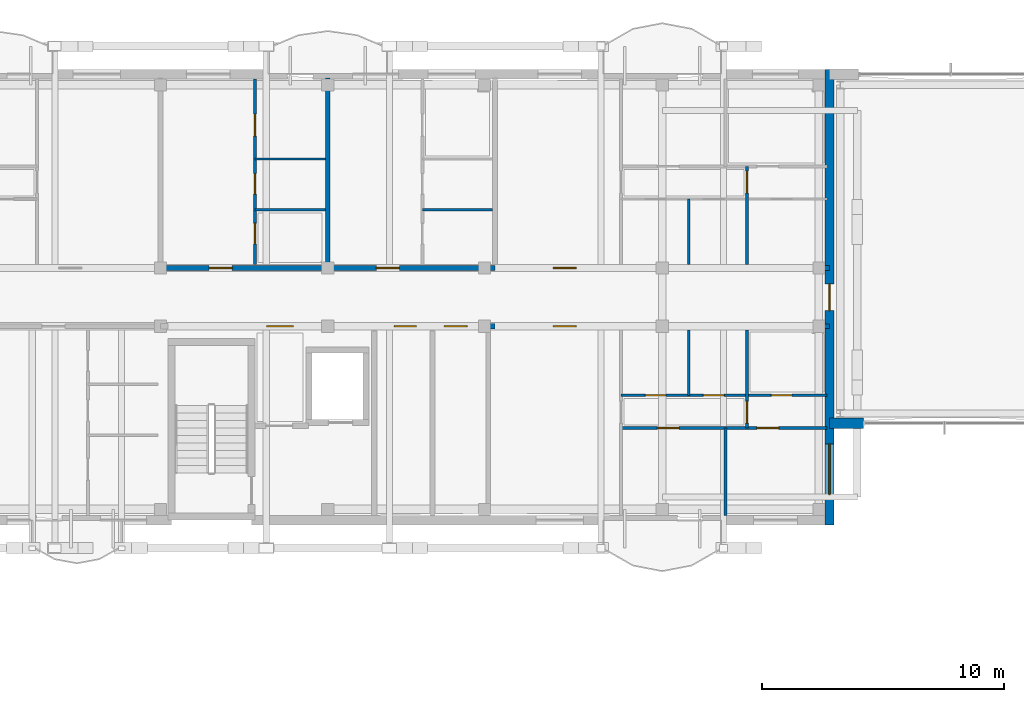
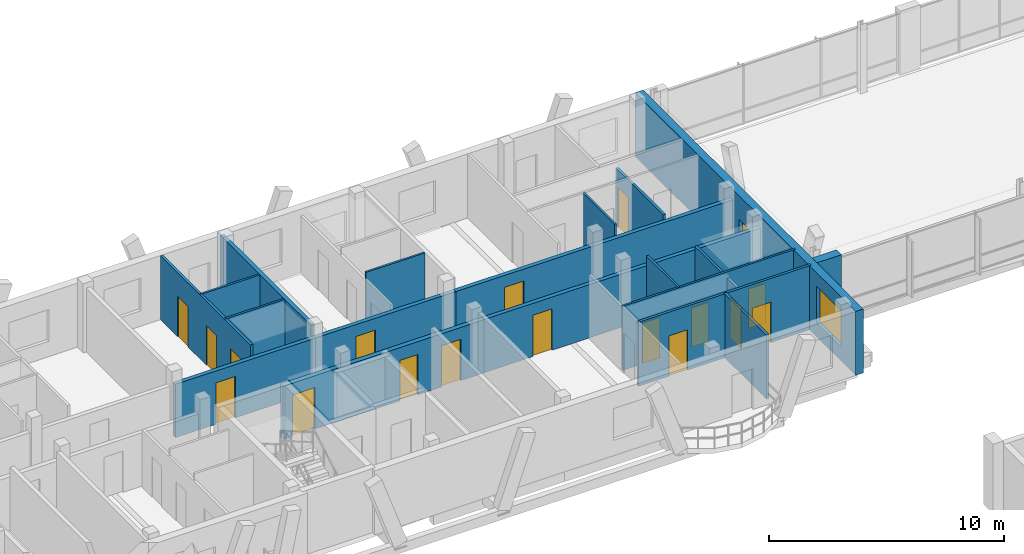
# One storey, part 154 of 189: 19 walls, 18 doors, 1 window, 19 openings.
"""IFC4 building model written with IfcOpenShell, lengths in metres."""

from ifc_helpers import new_model, si_unit, direction, frame, frame_2d, origin, origin_with_axes, place, context, subcontext, project, spatial, rectangle, extrude, material, layer, layer_set, type_object, element, fill, save


model = new_model("IFC4")

# Units and contexts
model_context = context("Model", 3, precision=1e-05, world=origin(), true_north=direction((0.0, 1.0)))
body_context = subcontext(model_context, "Body", "Model", "MODEL_VIEW")
ifc_project = project(units=[si_unit("LENGTHUNIT", "METRE"), si_unit("AREAUNIT", "SQUARE_METRE"), si_unit("VOLUMEUNIT", "CUBIC_METRE"), si_unit("PLANEANGLEUNIT", "RADIAN"), si_unit("MASSUNIT", "GRAM", prefix="KILO")], contexts=[model_context])

# Site, building, storey
site_placement = place(None, origin())
site = spatial("IfcSite", under=ifc_project, at=site_placement, CompositionType="ELEMENT")
building_placement = place(site_placement, origin())
building = spatial("IfcBuilding", under=site, at=building_placement, Name="Zavelmont Quarter", CompositionType="ELEMENT")
storey_placement = place(building_placement, frame((0.0, 0.0, 4.39990234375)))
storey = spatial("IfcBuildingStorey", under=building, at=storey_placement, Name="L01", CompositionType="ELEMENT", Elevation=4.39990234375)

# Wall, openings, door, window
ifc_material_1 = material(Name="Natural Belgian limestone", Category="masonry")
ifc_layer_1 = layer(ifc_material_1, 0.3798828125)
ifc_layer_set_1 = layer_set([ifc_layer_1], Name="Natural Belgian limestone")
wall_type_1 = type_object("IfcWallType", Name="EW01", PredefinedType="STANDARD", material=ifc_layer_set_1)
wall_1_placement = place(storey_placement, frame((55.199951171875, 97.409912109375, 0.0), z_axis=(0.0, 0.0, 1.0), x_axis=(0.0, 1.0, 0.0)))
wall_1 = element("IfcWall", 1, at=wall_1_placement, inside=storey, type_object=wall_type_1, Name="L01 exterior limestone wall EW01", PredefinedType="STANDARD", context=body_context, shape_type="SweptSolid", body=[
    extrude(rectangle(XDim=18.780029296875, YDim=0.3798828125, at=frame_2d((9.39013671875, 0.0))), origin(), (0.0, 0.0, 1.0), 3.330078125),
])
opening_1_placement = place(wall_1_placement, frame((8.840087890625, 0.0, 0.0)))
opening_1 = element("IfcOpeningElement", 2, at=opening_1_placement, cuts=wall_1, Name="Opening DR04B", PredefinedType="OPENING", context=body_context, shape_type="SweptSolid", body=[
    extrude(rectangle(XDim=1.10009765625, YDim=2.10009765625, at=frame_2d((0.550048828125, 1.050048828125))), frame((0.0, 0.201904296875, 0.0), z_axis=(0.0, -1.0, 0.0), x_axis=(1.0, 0.0, 0.0)), (0.0, 0.0, 1.0), 0.40380859375),
])
opening_2_placement = place(wall_1_placement, frame((1.239990234375, 0.0, 0.719970703125)))
opening_2 = element("IfcOpeningElement", 3, at=opening_2_placement, cuts=wall_1, Name="Opening WN05", PredefinedType="OPENING", context=body_context, shape_type="SweptSolid", body=[
    extrude(rectangle(XDim=2.10009765625, YDim=1.89990234375, at=frame_2d((1.050048828125, 0.949951171875))), frame((0.0, 0.201904296875, 0.0), z_axis=(0.0, -1.0, 0.0), x_axis=(1.0, 0.0, 0.0)), (0.0, 0.0, 1.0), 0.40380859375),
])
ifc_material_2 = material(Name="Thermally broken aluminium and double safety glass", Category="aluminium")
door_type_1 = type_object("IfcDoorType", Name="DR04B", OperationType="NOTDEFINED", PredefinedType="DOOR", material=ifc_material_2)
door_1_placement = place(opening_1_placement, origin_with_axes())
door_1 = element("IfcDoor", 4, at=door_1_placement, inside=storey, type_object=door_type_1, Name="Block B L01 street arcade link door", OperationType="SINGLE_SWING_RIGHT", OverallHeight=2.10009765625, OverallWidth=1.10009765625, PredefinedType="DOOR", context=body_context, shape_type="SweptSolid", body=[
    extrude(rectangle(XDim=1.10009765625, YDim=2.10009765625, at=frame_2d((0.550048828125, 1.050048828125))), frame((0.0, 0.02490234375, 0.0), z_axis=(0.0, -1.0, 0.0), x_axis=(1.0, 0.0, 0.0)), (0.0, 0.0, 1.0), 0.050048828125),
])
fill(opening_1, door_1)
ifc_material_3 = material(Name="Double low-E insulated glazing in thermally broken aluminium frame", Category="aluminium")
window_type = type_object("IfcWindowType", Name="WN05", PartitioningType="SINGLE_PANEL", PredefinedType="WINDOW", material=ifc_material_3)
window_placement = place(opening_2_placement, origin_with_axes())
window = element("IfcWindow", 5, at=window_placement, inside=storey, type_object=window_type, Name="L01 window WN05", OverallHeight=1.89990234375, OverallWidth=2.10009765625, PartitioningType="SINGLE_PANEL", PredefinedType="WINDOW", context=body_context, shape_type="SweptSolid", body=[
    extrude(rectangle(XDim=2.10009765625, YDim=1.89990234375, at=frame_2d((1.050048828125, 0.949951171875))), frame((0.0, 0.030029296875, 0.0), z_axis=(0.0, -1.0, 0.0), x_axis=(1.0, 0.0, 0.0)), (0.0, 0.0, 1.0), 0.06005859375),
])
fill(opening_2, window)

# Walls
ifc_layer_2 = layer(ifc_material_1, 0.419921875)
ifc_layer_set_2 = layer_set([ifc_layer_2], Name="Natural Belgian limestone")
wall_type_2 = type_object("IfcWallType", Name="EW04", PredefinedType="STANDARD", material=ifc_layer_set_2)
wall_2_placement = place(storey_placement, frame((55.199951171875, 101.60009765625, 0.0), z_axis=(0.0, 0.0, 1.0), x_axis=(1.0, 0.0, 0.0)))
element("IfcWall", 6, at=wall_2_placement, inside=storey, type_object=wall_type_2, Name="L01 exterior limestone wall EW04", PredefinedType="STANDARD", context=body_context, shape_type="SweptSolid", body=[
    extrude(rectangle(XDim=1.400146484375, YDim=0.419921875, at=frame_2d((0.7001953125, 0.0))), origin(), (0.0, 0.0, 1.0), 3.31005859375),
])
ifc_material_4 = material(Name="Calcium-silicate blockwork and acoustic plaster", Category="masonry")
ifc_layer_3 = layer(ifc_material_4, 0.199951171875)
ifc_layer_set_3 = layer_set([ifc_layer_3], Name="Calcium-silicate blockwork and acoustic plaster")
wall_type_3 = type_object("IfcWallType", Name="IW01", PredefinedType="PARTITIONING", material=ifc_layer_set_3)
wall_3_placement = place(storey_placement, frame((34.5, 108.14990234375, 0.0), z_axis=(0.0, 0.0, 1.0), x_axis=(0.0, 1.0, 0.0)))
element("IfcWall", 7, at=wall_3_placement, inside=storey, type_object=wall_type_3, Name="L01 Inter-dwelling compartment wall IW01", PredefinedType="PARTITIONING", context=body_context, shape_type="SweptSolid", body=[
    extrude(rectangle(XDim=7.7001953125, YDim=0.199951171875, at=frame_2d((3.85009765625, 0.0))), origin(), (0.0, 0.0, 1.0), 3.330078125),
])

# Wall, opening, door
wall_4_placement = place(storey_placement, frame((27.60009765625, 108.0, 0.0), z_axis=(0.0, 0.0, 1.0), x_axis=(1.0, 0.0, 0.0)))
wall_4 = element("IfcWall", 8, at=wall_4_placement, inside=storey, type_object=wall_type_3, Name="L01 Corridor compartment wall IW01", PredefinedType="PARTITIONING", context=body_context, shape_type="SweptSolid", body=[
    extrude(rectangle(XDim=6.89990234375, YDim=0.199951171875, at=frame_2d((3.449951171875, 0.0))), origin(), (0.0, 0.0, 1.0), 2.77001953125),
])
opening_3_placement = place(wall_4_placement, frame((2.0, 0.0, 0.0)))
opening_3 = element("IfcOpeningElement", 9, at=opening_3_placement, cuts=wall_4, Name="Opening DR02", PredefinedType="OPENING", context=body_context, shape_type="SweptSolid", body=[
    extrude(rectangle(XDim=0.949951171875, YDim=2.14990234375, at=frame_2d((0.47509765625, 1.074951171875))), frame((0.0, 0.11181640625, 0.0), z_axis=(0.0, -1.0, 0.0), x_axis=(1.0, 0.0, 0.0)), (0.0, 0.0, 1.0), 0.223876953125),
])
ifc_material_5 = material(Name="Solid-core oak fire leaf in steel frame", Category="steel")
door_type_2 = type_object("IfcDoorType", Name="DR02", OperationType="NOTDEFINED", PredefinedType="DOOR", material=ifc_material_5)
door_2_placement = place(opening_3_placement, origin_with_axes())
door_2 = element("IfcDoor", 10, at=door_2_placement, inside=storey, type_object=door_type_2, Name="L01 door DR02", OperationType="SINGLE_SWING_RIGHT", OverallHeight=2.14990234375, OverallWidth=0.949951171875, PredefinedType="DOOR", context=body_context, shape_type="SweptSolid", body=[
    extrude(rectangle(XDim=0.949951171875, YDim=2.14990234375, at=frame_2d((0.47509765625, 1.074951171875))), frame((0.0, 0.02490234375, 0.0), z_axis=(0.0, -1.0, 0.0), x_axis=(1.0, 0.0, 0.0)), (0.0, 0.0, 1.0), 0.050048828125),
])
fill(opening_3, door_2)

wall_5_placement = place(storey_placement, frame((34.5, 108.0, 0.0), z_axis=(0.0, 0.0, 1.0), x_axis=(1.0, 0.0, 0.0)))
wall_5 = element("IfcWall", 11, at=wall_5_placement, inside=storey, type_object=wall_type_3, Name="L01 Corridor compartment wall IW01", PredefinedType="PARTITIONING", context=body_context, shape_type="SweptSolid", body=[
    extrude(rectangle(XDim=6.89990234375, YDim=0.199951171875, at=frame_2d((3.449951171875, 0.0))), origin(), (0.0, 0.0, 1.0), 2.77001953125),
])
opening_4_placement = place(wall_5_placement, frame((2.0, 0.0, 0.0)))
opening_4 = element("IfcOpeningElement", 12, at=opening_4_placement, cuts=wall_5, Name="Opening DR02", PredefinedType="OPENING", context=body_context, shape_type="SweptSolid", body=[
    extrude(rectangle(XDim=0.949951171875, YDim=2.14990234375, at=frame_2d((0.47509765625, 1.074951171875))), frame((0.0, 0.11181640625, 0.0), z_axis=(0.0, -1.0, 0.0), x_axis=(1.0, 0.0, 0.0)), (0.0, 0.0, 1.0), 0.223876953125),
])
door_3_placement = place(opening_4_placement, origin_with_axes())
door_3 = element("IfcDoor", 13, at=door_3_placement, inside=storey, type_object=door_type_2, Name="L01 door DR02", OperationType="SINGLE_SWING_LEFT", OverallHeight=2.14990234375, OverallWidth=0.949951171875, PredefinedType="DOOR", context=body_context, shape_type="SweptSolid", body=[
    extrude(rectangle(XDim=0.949951171875, YDim=2.14990234375, at=frame_2d((0.47509765625, 1.074951171875))), frame((0.0, 0.02490234375, 0.0), z_axis=(0.0, -1.0, 0.0), x_axis=(1.0, 0.0, 0.0)), (0.0, 0.0, 1.0), 0.050048828125),
])
fill(opening_4, door_3)

wall_6_placement = place(storey_placement, frame((41.39990234375, 108.0, 0.0), z_axis=(0.0, 0.0, 1.0), x_axis=(1.0, 0.0, 0.0)))
wall_6 = element("IfcWall", 14, at=wall_6_placement, inside=storey, type_object=wall_type_3, Name="L01 Corridor compartment wall IW01", PredefinedType="PARTITIONING", context=body_context, shape_type="SweptSolid", body=[
    extrude(rectangle(XDim=13.800048828125, YDim=0.199951171875, at=frame_2d((6.89990234375, 0.0))), origin(), (0.0, 0.0, 1.0), 2.77001953125),
])
opening_5_placement = place(wall_6_placement, frame((2.39990234375, 0.0, 0.0)))
opening_5 = element("IfcOpeningElement", 15, at=opening_5_placement, cuts=wall_6, Name="Opening DR02", PredefinedType="OPENING", context=body_context, shape_type="SweptSolid", body=[
    extrude(rectangle(XDim=0.949951171875, YDim=2.14990234375, at=frame_2d((0.47509765625, 1.074951171875))), frame((0.0, 0.11181640625, 0.0), z_axis=(0.0, -1.0, 0.0), x_axis=(1.0, 0.0, 0.0)), (0.0, 0.0, 1.0), 0.223876953125),
])
door_4_placement = place(opening_5_placement, origin_with_axes())
door_4 = element("IfcDoor", 16, at=door_4_placement, inside=storey, type_object=door_type_2, Name="L01 door DR02", OperationType="SINGLE_SWING_RIGHT", OverallHeight=2.14990234375, OverallWidth=0.949951171875, PredefinedType="DOOR", context=body_context, shape_type="SweptSolid", body=[
    extrude(rectangle(XDim=0.949951171875, YDim=2.14990234375, at=frame_2d((0.47509765625, 1.074951171875))), frame((0.0, 0.02490234375, 0.0), z_axis=(0.0, -1.0, 0.0), x_axis=(1.0, 0.0, 0.0)), (0.0, 0.0, 1.0), 0.050048828125),
])
fill(opening_5, door_4)

wall_7_placement = place(storey_placement, frame((41.39990234375, 105.60009765625, 0.0), z_axis=(0.0, 0.0, 1.0), x_axis=(1.0, 0.0, 0.0)))
wall_7 = element("IfcWall", 17, at=wall_7_placement, inside=storey, type_object=wall_type_3, Name="L01 Corridor compartment wall IW01", PredefinedType="PARTITIONING", context=body_context, shape_type="SweptSolid", body=[
    extrude(rectangle(XDim=13.800048828125, YDim=0.199951171875, at=frame_2d((6.89990234375, 0.0))), origin(), (0.0, 0.0, 1.0), 2.77001953125),
])
opening_6_placement = place(wall_7_placement, frame((2.39990234375, 0.0, 0.0)))
opening_6 = element("IfcOpeningElement", 18, at=opening_6_placement, cuts=wall_7, Name="Opening DR02", PredefinedType="OPENING", context=body_context, shape_type="SweptSolid", body=[
    extrude(rectangle(XDim=0.949951171875, YDim=2.14990234375, at=frame_2d((0.47509765625, 1.074951171875))), frame((0.0, 0.11181640625, 0.0), z_axis=(0.0, -1.0, 0.0), x_axis=(1.0, 0.0, 0.0)), (0.0, 0.0, 1.0), 0.223876953125),
])
door_5_placement = place(opening_6_placement, frame((0.949951171875, 0.0, 0.0), z_axis=(0.0, 0.0, 1.0), x_axis=(-1.0, 0.0, 0.0)))
door_5 = element("IfcDoor", 19, at=door_5_placement, inside=storey, type_object=door_type_2, Name="L01 door DR02", OperationType="SINGLE_SWING_RIGHT", OverallHeight=2.14990234375, OverallWidth=0.949951171875, PredefinedType="DOOR", context=body_context, shape_type="SweptSolid", body=[
    extrude(rectangle(XDim=0.949951171875, YDim=2.14990234375, at=frame_2d((0.47509765625, 1.074951171875))), frame((0.0, 0.02490234375, 0.0), z_axis=(0.0, -1.0, 0.0), x_axis=(1.0, 0.0, 0.0)), (0.0, 0.0, 1.0), 0.050048828125),
])
fill(opening_6, door_5)

# Wall, openings, doors
ifc_material_6 = material(Name="Reinforced masonry fire compartment wall", Category="masonry")
ifc_layer_4 = layer(ifc_material_6, 0.22509765625)
ifc_layer_set_4 = layer_set([ifc_layer_4], Name="Reinforced masonry fire compartment wall")
wall_type_4 = type_object("IfcWallType", Name="IW02", PredefinedType="PARTITIONING", material=ifc_layer_set_4)
wall_8_placement = place(storey_placement, frame((31.5, 105.60009765625, 0.0), z_axis=(0.0, 0.0, 1.0), x_axis=(1.0, 0.0, 0.0)))
wall_8 = element("IfcWall", 20, at=wall_8_placement, inside=storey, type_object=wall_type_4, Name="L01 Core corridor fire wall IW02", PredefinedType="PARTITIONING", context=body_context, shape_type="SweptSolid", body=[
    extrude(rectangle(XDim=9.89990234375, YDim=0.22509765625, at=frame_2d((4.949951171875, 0.0))), origin(), (0.0, 0.0, 1.0), 2.77001953125),
])
opening_7_placement = place(wall_8_placement, frame((0.47509765625, 0.0, 0.0)))
opening_7 = element("IfcOpeningElement", 21, at=opening_7_placement, cuts=wall_8, Name="Opening DR10", PredefinedType="OPENING", context=body_context, shape_type="SweptSolid", body=[
    extrude(rectangle(XDim=1.10009765625, YDim=2.14990234375, at=frame_2d((0.550048828125, 1.074951171875))), frame((0.0, 0.12451171875, 0.0), z_axis=(0.0, -1.0, 0.0), x_axis=(1.0, 0.0, 0.0)), (0.0, 0.0, 1.0), 0.2490234375),
])
opening_8_placement = place(wall_8_placement, frame((5.75, 0.0, 0.0)))
opening_8 = element("IfcOpeningElement", 22, at=opening_8_placement, cuts=wall_8, Name="Opening DR11", PredefinedType="OPENING", context=body_context, shape_type="SweptSolid", body=[
    extrude(rectangle(XDim=0.89990234375, YDim=2.10009765625, at=frame_2d((0.449951171875, 1.050048828125))), frame((0.0, 0.12451171875, 0.0), z_axis=(0.0, -1.0, 0.0), x_axis=(1.0, 0.0, 0.0)), (0.0, 0.0, 1.0), 0.2490234375),
])
opening_9_placement = place(wall_8_placement, frame((7.800048828125, 0.0, 0.0)))
opening_9 = element("IfcOpeningElement", 23, at=opening_9_placement, cuts=wall_8, Name="Opening DR02", PredefinedType="OPENING", context=body_context, shape_type="SweptSolid", body=[
    extrude(rectangle(XDim=0.949951171875, YDim=2.14990234375, at=frame_2d((0.47509765625, 1.074951171875))), frame((0.0, 0.12451171875, 0.0), z_axis=(0.0, -1.0, 0.0), x_axis=(1.0, 0.0, 0.0)), (0.0, 0.0, 1.0), 0.2490234375),
])
door_6_placement = place(opening_9_placement, origin_with_axes())
door_6 = element("IfcDoor", 24, at=door_6_placement, inside=storey, type_object=door_type_2, Name="Auxiliary store corridor door", OperationType="SINGLE_SWING_RIGHT", OverallHeight=2.14990234375, OverallWidth=0.949951171875, PredefinedType="DOOR", context=body_context, shape_type="SweptSolid", body=[
    extrude(rectangle(XDim=0.949951171875, YDim=2.14990234375, at=frame_2d((0.47509765625, 1.074951171875))), frame((0.0, 0.02490234375, 0.0), z_axis=(0.0, -1.0, 0.0), x_axis=(1.0, 0.0, 0.0)), (0.0, 0.0, 1.0), 0.050048828125),
])
fill(opening_9, door_6)
ifc_material_7 = material(Name="Painted steel lobby fire door", Category="steel")
door_type_3 = type_object("IfcDoorType", Name="DR10", OperationType="NOTDEFINED", PredefinedType="DOOR", material=ifc_material_7)
door_7_placement = place(opening_7_placement, frame((1.10009765625, 0.0, 0.0), z_axis=(0.0, 0.0, 1.0), x_axis=(-1.0, 0.0, 0.0)))
door_7 = element("IfcDoor", 25, at=door_7_placement, inside=storey, type_object=door_type_3, Name="Core vestibule fire door", OperationType="SINGLE_SWING_LEFT", OverallHeight=2.14990234375, OverallWidth=1.10009765625, PredefinedType="DOOR", context=body_context, shape_type="SweptSolid", body=[
    extrude(rectangle(XDim=1.10009765625, YDim=2.14990234375, at=frame_2d((0.550048828125, 1.074951171875))), frame((0.0, 0.02490234375, 0.0), z_axis=(0.0, -1.0, 0.0), x_axis=(1.0, 0.0, 0.0)), (0.0, 0.0, 1.0), 0.050048828125),
])
fill(opening_7, door_7)
ifc_material_8 = material(Name="Painted steel service-riser fire door", Category="steel")
door_type_4 = type_object("IfcDoorType", Name="DR11", OperationType="NOTDEFINED", PredefinedType="DOOR", material=ifc_material_8)
door_8_placement = place(opening_8_placement, origin_with_axes())
door_8 = element("IfcDoor", 26, at=door_8_placement, inside=storey, type_object=door_type_4, Name="Service riser fire door", OperationType="SINGLE_SWING_LEFT", OverallHeight=2.10009765625, OverallWidth=0.89990234375, PredefinedType="DOOR", context=body_context, shape_type="SweptSolid", body=[
    extrude(rectangle(XDim=0.89990234375, YDim=2.10009765625, at=frame_2d((0.449951171875, 1.050048828125))), frame((0.0, 0.02490234375, 0.0), z_axis=(0.0, -1.0, 0.0), x_axis=(1.0, 0.0, 0.0)), (0.0, 0.0, 1.0), 0.050048828125),
])
fill(opening_8, door_8)

ifc_material_9 = material(Name="Double gypsum board on acoustic steel stud", Category="steel")
ifc_layer_5 = layer(ifc_material_9, 0.125)
ifc_layer_set_5 = layer_set([ifc_layer_5], Name="Double gypsum board on acoustic steel stud")
wall_type_5 = type_object("IfcWallType", Name="IW03", PredefinedType="PARTITIONING", material=ifc_layer_set_5)
wall_9_placement = place(storey_placement, frame((31.5, 108.14990234375, 0.0), z_axis=(0.0, 0.0, 1.0), x_axis=(0.0, 1.0, 0.0)))
wall_9 = element("IfcWall", 27, at=wall_9_placement, inside=storey, type_object=wall_type_5, Name="L01 Partition IW03", PredefinedType="PARTITIONING", context=body_context, shape_type="SweptSolid", body=[
    extrude(rectangle(XDim=7.650146484375, YDim=0.125, at=frame_2d((3.8251953125, 0.0))), origin(), (0.0, 0.0, 1.0), 3.330078125),
])
opening_10_placement = place(wall_9_placement, frame((0.85009765625, 0.0, 0.0)))
opening_10 = element("IfcOpeningElement", 28, at=opening_10_placement, cuts=wall_9, Name="Opening DR16", PredefinedType="OPENING", context=body_context, shape_type="SweptSolid", body=[
    extrude(rectangle(XDim=0.85009765625, YDim=2.10009765625, at=frame_2d((0.425048828125, 1.050048828125))), frame((0.0, 0.074462890625, 0.0), z_axis=(0.0, -1.0, 0.0), x_axis=(1.0, 0.0, 0.0)), (0.0, 0.0, 1.0), 0.14892578125),
])
opening_11_placement = place(wall_9_placement, frame((2.89990234375, 0.0, 0.0)))
opening_11 = element("IfcOpeningElement", 29, at=opening_11_placement, cuts=wall_9, Name="Opening DR06", PredefinedType="OPENING", context=body_context, shape_type="SweptSolid", body=[
    extrude(rectangle(XDim=0.85009765625, YDim=2.050048828125, at=frame_2d((0.425048828125, 1.02490234375))), frame((0.0, 0.074462890625, 0.0), z_axis=(0.0, -1.0, 0.0), x_axis=(1.0, 0.0, 0.0)), (0.0, 0.0, 1.0), 0.14892578125),
])
opening_12_placement = place(wall_9_placement, frame((5.300048828125, 0.0, 0.0)))
opening_12 = element("IfcOpeningElement", 30, at=opening_12_placement, cuts=wall_9, Name="Opening DR05", PredefinedType="OPENING", context=body_context, shape_type="SweptSolid", body=[
    extrude(rectangle(XDim=0.89990234375, YDim=2.10009765625, at=frame_2d((0.449951171875, 1.050048828125))), frame((0.0, 0.074462890625, 0.0), z_axis=(0.0, -1.0, 0.0), x_axis=(1.0, 0.0, 0.0)), (0.0, 0.0, 1.0), 0.14892578125),
])
ifc_material_10 = material(Name="Engineered oak flush interior door")
door_type_5 = type_object("IfcDoorType", Name="DR05", OperationType="NOTDEFINED", PredefinedType="DOOR", material=ifc_material_10)
door_9_placement = place(opening_12_placement, origin_with_axes())
door_9 = element("IfcDoor", 31, at=door_9_placement, inside=storey, type_object=door_type_5, Name="L01 door DR05", OperationType="SINGLE_SWING_RIGHT", OverallHeight=2.10009765625, OverallWidth=0.89990234375, PredefinedType="DOOR", context=body_context, shape_type="SweptSolid", body=[
    extrude(rectangle(XDim=0.89990234375, YDim=2.10009765625, at=frame_2d((0.449951171875, 1.050048828125))), frame((0.0, 0.02490234375, 0.0), z_axis=(0.0, -1.0, 0.0), x_axis=(1.0, 0.0, 0.0)), (0.0, 0.0, 1.0), 0.050048828125),
])
fill(opening_12, door_9)
ifc_material_11 = material(Name="Moisture-resistant painted wet-room door")
door_type_6 = type_object("IfcDoorType", Name="DR06", OperationType="NOTDEFINED", PredefinedType="DOOR", material=ifc_material_11)
door_10_placement = place(opening_11_placement, frame((0.85009765625, 0.0, 0.0), z_axis=(0.0, 0.0, 1.0), x_axis=(-1.0, 0.0, 0.0)))
door_10 = element("IfcDoor", 32, at=door_10_placement, inside=storey, type_object=door_type_6, Name="L01 door DR06", OperationType="SINGLE_SWING_LEFT", OverallHeight=2.050048828125, OverallWidth=0.85009765625, PredefinedType="DOOR", context=body_context, shape_type="SweptSolid", body=[
    extrude(rectangle(XDim=0.85009765625, YDim=2.050048828125, at=frame_2d((0.425048828125, 1.02490234375))), frame((0.0, 0.02490234375, 0.0), z_axis=(0.0, -1.0, 0.0), x_axis=(1.0, 0.0, 0.0)), (0.0, 0.0, 1.0), 0.050048828125),
])
fill(opening_11, door_10)
door_type_7 = type_object("IfcDoorType", Name="DR16", OperationType="NOTDEFINED", PredefinedType="DOOR", material=ifc_material_10)
door_11_placement = place(opening_10_placement, origin_with_axes())
door_11 = element("IfcDoor", 33, at=door_11_placement, inside=storey, type_object=door_type_7, Name="L01 door DR16", OperationType="SINGLE_SWING_RIGHT", OverallHeight=2.10009765625, OverallWidth=0.85009765625, PredefinedType="DOOR", context=body_context, shape_type="SweptSolid", body=[
    extrude(rectangle(XDim=0.85009765625, YDim=2.10009765625, at=frame_2d((0.425048828125, 1.050048828125))), frame((0.0, 0.02490234375, 0.0), z_axis=(0.0, -1.0, 0.0), x_axis=(1.0, 0.0, 0.0)), (0.0, 0.0, 1.0), 0.050048828125),
])
fill(opening_10, door_11)

# Wall, opening, door
wall_10_placement = place(storey_placement, frame((51.800048828125, 108.14990234375, 0.0), z_axis=(0.0, 0.0, 1.0), x_axis=(0.0, 1.0, 0.0)))
wall_10 = element("IfcWall", 34, at=wall_10_placement, inside=storey, type_object=wall_type_5, Name="L01 Partition IW03", PredefinedType="PARTITIONING", context=body_context, shape_type="SweptSolid", body=[
    extrude(rectangle(XDim=4.050048828125, YDim=0.125, at=frame_2d((2.02490234375, 0.0))), origin(), (0.0, 0.0, 1.0), 2.989990234375),
])
opening_13_placement = place(wall_10_placement, frame((2.949951171875, 0.0, 0.0)))
opening_13 = element("IfcOpeningElement", 35, at=opening_13_placement, cuts=wall_10, Name="Opening DR05", PredefinedType="OPENING", context=body_context, shape_type="SweptSolid", body=[
    extrude(rectangle(XDim=0.89990234375, YDim=2.10009765625, at=frame_2d((0.449951171875, 1.050048828125))), frame((0.0, 0.074462890625, 0.0), z_axis=(0.0, -1.0, 0.0), x_axis=(1.0, 0.0, 0.0)), (0.0, 0.0, 1.0), 0.14892578125),
])
door_12_placement = place(opening_13_placement, frame((0.89990234375, 0.0, 0.0), z_axis=(0.0, 0.0, 1.0), x_axis=(-1.0, 0.0, 0.0)))
door_12 = element("IfcDoor", 36, at=door_12_placement, inside=storey, type_object=door_type_5, Name="L01 door DR05", OperationType="SINGLE_SWING_LEFT", OverallHeight=2.10009765625, OverallWidth=0.89990234375, PredefinedType="DOOR", context=body_context, shape_type="SweptSolid", body=[
    extrude(rectangle(XDim=0.89990234375, YDim=2.10009765625, at=frame_2d((0.449951171875, 1.050048828125))), frame((0.0, 0.02490234375, 0.0), z_axis=(0.0, -1.0, 0.0), x_axis=(1.0, 0.0, 0.0)), (0.0, 0.0, 1.0), 0.050048828125),
])
fill(opening_13, door_12)

wall_11_placement = place(storey_placement, frame((51.800048828125, 105.449951171875, 0.0), z_axis=(0.0, 0.0, 1.0), x_axis=(0.0, -1.0, 0.0)))
wall_11 = element("IfcWall", 37, at=wall_11_placement, inside=storey, type_object=wall_type_5, Name="L01 Partition IW03", PredefinedType="PARTITIONING", context=body_context, shape_type="SweptSolid", body=[
    extrude(rectangle(XDim=4.050048828125, YDim=0.125, at=frame_2d((2.02490234375, 0.0))), origin(), (0.0, 0.0, 1.0), 2.989990234375),
])
opening_14_placement = place(wall_11_placement, frame((2.949951171875, 0.0, 0.0)))
opening_14 = element("IfcOpeningElement", 38, at=opening_14_placement, cuts=wall_11, Name="Opening DR05", PredefinedType="OPENING", context=body_context, shape_type="SweptSolid", body=[
    extrude(rectangle(XDim=0.89990234375, YDim=2.10009765625, at=frame_2d((0.449951171875, 1.050048828125))), frame((0.0, 0.074462890625, 0.0), z_axis=(0.0, -1.0, 0.0), x_axis=(1.0, 0.0, 0.0)), (0.0, 0.0, 1.0), 0.14892578125),
])
door_13_placement = place(opening_14_placement, frame((0.89990234375, 0.0, 0.0), z_axis=(0.0, 0.0, 1.0), x_axis=(-1.0, 0.0, 0.0)))
door_13 = element("IfcDoor", 39, at=door_13_placement, inside=storey, type_object=door_type_5, Name="L01 door DR05", OperationType="SINGLE_SWING_LEFT", OverallHeight=2.10009765625, OverallWidth=0.89990234375, PredefinedType="DOOR", context=body_context, shape_type="SweptSolid", body=[
    extrude(rectangle(XDim=0.89990234375, YDim=2.10009765625, at=frame_2d((0.449951171875, 1.050048828125))), frame((0.0, 0.02490234375, 0.0), z_axis=(0.0, -1.0, 0.0), x_axis=(1.0, 0.0, 0.0)), (0.0, 0.0, 1.0), 0.050048828125),
])
fill(opening_14, door_13)

# Wall
wall_12_placement = place(storey_placement, frame((50.89990234375, 101.39990234375, 0.0), z_axis=(0.0, 0.0, 1.0), x_axis=(0.0, -1.0, 0.0)))
element("IfcWall", 40, at=wall_12_placement, inside=storey, type_object=wall_type_5, Name="L01 Partition IW03", PredefinedType="PARTITIONING", context=body_context, shape_type="SweptSolid", body=[
    extrude(rectangle(XDim=3.599853515625, YDim=0.125, at=frame_2d((1.7998046875, 0.0))), origin(), (0.0, 0.0, 1.0), 3.330078125),
])

# Wall, openings, doors
wall_13_placement = place(storey_placement, frame((46.60009765625, 101.39990234375, 0.0), z_axis=(0.0, 0.0, 1.0), x_axis=(1.0, 0.0, 0.0)))
wall_13 = element("IfcWall", 41, at=wall_13_placement, inside=storey, type_object=wall_type_5, Name="L01 Partition IW03", PredefinedType="PARTITIONING", context=body_context, shape_type="SweptSolid", body=[
    extrude(rectangle(XDim=8.5, YDim=0.125, at=frame_2d((4.25, 0.0))), origin(), (0.0, 0.0, 1.0), 3.330078125),
])
opening_15_placement = place(wall_13_placement, frame((1.5, 0.0, 0.0)))
opening_15 = element("IfcOpeningElement", 42, at=opening_15_placement, cuts=wall_13, Name="Opening DR05", PredefinedType="OPENING", context=body_context, shape_type="SweptSolid", body=[
    extrude(rectangle(XDim=0.89990234375, YDim=2.10009765625, at=frame_2d((0.449951171875, 1.050048828125))), frame((0.0, 0.074462890625, 0.0), z_axis=(0.0, -1.0, 0.0), x_axis=(1.0, 0.0, 0.0)), (0.0, 0.0, 1.0), 0.14892578125),
])
opening_16_placement = place(wall_13_placement, frame((5.60009765625, 0.0, 0.0)))
opening_16 = element("IfcOpeningElement", 43, at=opening_16_placement, cuts=wall_13, Name="Opening DR05", PredefinedType="OPENING", context=body_context, shape_type="SweptSolid", body=[
    extrude(rectangle(XDim=0.89990234375, YDim=2.10009765625, at=frame_2d((0.449951171875, 1.050048828125))), frame((0.0, 0.074462890625, 0.0), z_axis=(0.0, -1.0, 0.0), x_axis=(1.0, 0.0, 0.0)), (0.0, 0.0, 1.0), 0.14892578125),
])
door_14_placement = place(opening_15_placement, frame((0.89990234375, 0.0, 0.0), z_axis=(0.0, 0.0, 1.0), x_axis=(-1.0, 0.0, 0.0)))
door_14 = element("IfcDoor", 44, at=door_14_placement, inside=storey, type_object=door_type_5, Name="L01 door DR05", OperationType="SINGLE_SWING_LEFT", OverallHeight=2.10009765625, OverallWidth=0.89990234375, PredefinedType="DOOR", context=body_context, shape_type="SweptSolid", body=[
    extrude(rectangle(XDim=0.89990234375, YDim=2.10009765625, at=frame_2d((0.449951171875, 1.050048828125))), frame((0.0, 0.02490234375, 0.0), z_axis=(0.0, -1.0, 0.0), x_axis=(1.0, 0.0, 0.0)), (0.0, 0.0, 1.0), 0.050048828125),
])
fill(opening_15, door_14)
door_15_placement = place(opening_16_placement, origin_with_axes())
door_15 = element("IfcDoor", 45, at=door_15_placement, inside=storey, type_object=door_type_5, Name="L01 door DR05", OperationType="SINGLE_SWING_RIGHT", OverallHeight=2.10009765625, OverallWidth=0.89990234375, PredefinedType="DOOR", context=body_context, shape_type="SweptSolid", body=[
    extrude(rectangle(XDim=0.89990234375, YDim=2.10009765625, at=frame_2d((0.449951171875, 1.050048828125))), frame((0.0, 0.02490234375, 0.0), z_axis=(0.0, -1.0, 0.0), x_axis=(1.0, 0.0, 0.0)), (0.0, 0.0, 1.0), 0.050048828125),
])
fill(opening_16, door_15)

# Walls
ifc_material_12 = material(Name="Moisture-resistant gypsum board on steel stud", Category="steel")
ifc_layer_6 = layer(ifc_material_12, 0.10009765625)
ifc_layer_set_6 = layer_set([ifc_layer_6], Name="Moisture-resistant gypsum board on steel stud")
wall_type_6 = type_object("IfcWallType", Name="IW04", PredefinedType="PARTITIONING", material=ifc_layer_set_6)
for number, where, z_axis, x_axis, name in (
    (46, (31.5, 110.39990234375, 0.0), (0.0, 0.0, 1.0), (1.0, 0.0, 0.0), "L01 Partition IW04"),
    (47, (31.5, 112.5, 0.0), (0.0, 0.0, 1.0), (1.0, 0.0, 0.0), "L01 Partition IW04"),
):
    element("IfcWall", number, at=place(storey_placement, frame(where, z_axis=z_axis, x_axis=x_axis)), inside=storey, type_object=wall_type_6, Name=name, PredefinedType="PARTITIONING", context=body_context, shape_type="SweptSolid", body=[
        extrude(rectangle(XDim=2.89990234375, YDim=0.10009765625, at=frame_2d((1.449951171875, 0.0))), origin(), (0.0, 0.0, 1.0), 3.330078125),
    ])
wall_14_placement = place(storey_placement, frame((38.39990234375, 110.39990234375, 0.0), z_axis=(0.0, 0.0, 1.0), x_axis=(1.0, 0.0, 0.0)))
element("IfcWall", 48, at=wall_14_placement, inside=storey, type_object=wall_type_6, Name="L01 Partition IW04", PredefinedType="PARTITIONING", context=body_context, shape_type="SweptSolid", body=[
    extrude(rectangle(XDim=2.900146484375, YDim=0.10009765625, at=frame_2d((1.4501953125, 0.0))), origin(), (0.0, 0.0, 1.0), 3.330078125),
])
wall_15_placement = place(storey_placement, frame((49.39990234375, 108.14990234375, 0.0), z_axis=(0.0, 0.0, 1.0), x_axis=(0.0, 1.0, 0.0)))
element("IfcWall", 49, at=wall_15_placement, inside=storey, type_object=wall_type_6, Name="L01 Partition IW04", PredefinedType="PARTITIONING", context=body_context, shape_type="SweptSolid", body=[
    extrude(rectangle(XDim=2.7001953125, YDim=0.10009765625, at=frame_2d((1.35009765625, 0.0))), origin(), (0.0, 0.0, 1.0), 3.330078125),
])
wall_16_placement = place(storey_placement, frame((49.39990234375, 105.449951171875, 0.0), z_axis=(0.0, 0.0, 1.0), x_axis=(0.0, -1.0, 0.0)))
element("IfcWall", 50, at=wall_16_placement, inside=storey, type_object=wall_type_6, Name="L01 Partition IW04", PredefinedType="PARTITIONING", context=body_context, shape_type="SweptSolid", body=[
    extrude(rectangle(XDim=2.699951171875, YDim=0.10009765625, at=frame_2d((1.35009765625, 0.0))), origin(), (0.0, 0.0, 1.0), 3.330078125),
])

# Wall, openings, doors
wall_17_placement = place(storey_placement, frame((46.60009765625, 102.75, 0.0), z_axis=(0.0, 0.0, 1.0), x_axis=(1.0, 0.0, 0.0)))
wall_17 = element("IfcWall", 51, at=wall_17_placement, inside=storey, type_object=wall_type_6, Name="L01 Partition IW04", PredefinedType="PARTITIONING", context=body_context, shape_type="SweptSolid", body=[
    extrude(rectangle(XDim=8.5, YDim=0.10009765625, at=frame_2d((4.25, 0.0))), origin(), (0.0, 0.0, 1.0), 3.330078125),
])
opening_17_placement = place(wall_17_placement, frame((1.0, 0.0, 0.0)))
opening_17 = element("IfcOpeningElement", 52, at=opening_17_placement, cuts=wall_17, Name="Opening DR16", PredefinedType="OPENING", context=body_context, shape_type="SweptSolid", body=[
    extrude(rectangle(XDim=0.85009765625, YDim=2.10009765625, at=frame_2d((0.425048828125, 1.050048828125))), frame((0.0, 0.06201171875, 0.0), z_axis=(0.0, -1.0, 0.0), x_axis=(1.0, 0.0, 0.0)), (0.0, 0.0, 1.0), 0.1240234375),
])
opening_18_placement = place(wall_17_placement, frame((3.39990234375, 0.0, 0.0)))
opening_18 = element("IfcOpeningElement", 53, at=opening_18_placement, cuts=wall_17, Name="Opening DR06", PredefinedType="OPENING", context=body_context, shape_type="SweptSolid", body=[
    extrude(rectangle(XDim=0.85009765625, YDim=2.050048828125, at=frame_2d((0.425048828125, 1.02490234375))), frame((0.0, 0.06201171875, 0.0), z_axis=(0.0, -1.0, 0.0), x_axis=(1.0, 0.0, 0.0)), (0.0, 0.0, 1.0), 0.1240234375),
])
opening_19_placement = place(wall_17_placement, frame((6.199951171875, 0.0, 0.0)))
opening_19 = element("IfcOpeningElement", 54, at=opening_19_placement, cuts=wall_17, Name="Opening DR06", PredefinedType="OPENING", context=body_context, shape_type="SweptSolid", body=[
    extrude(rectangle(XDim=0.85009765625, YDim=2.050048828125, at=frame_2d((0.425048828125, 1.02490234375))), frame((0.0, 0.06201171875, 0.0), z_axis=(0.0, -1.0, 0.0), x_axis=(1.0, 0.0, 0.0)), (0.0, 0.0, 1.0), 0.1240234375),
])
door_16_placement = place(opening_18_placement, frame((0.85009765625, 0.0, 0.0), z_axis=(0.0, 0.0, 1.0), x_axis=(-1.0, 0.0, 0.0)))
door_16 = element("IfcDoor", 55, at=door_16_placement, inside=storey, type_object=door_type_6, Name="L01 door DR06", OperationType="SINGLE_SWING_LEFT", OverallHeight=2.050048828125, OverallWidth=0.85009765625, PredefinedType="DOOR", context=body_context, shape_type="SweptSolid", body=[
    extrude(rectangle(XDim=0.85009765625, YDim=2.050048828125, at=frame_2d((0.425048828125, 1.02490234375))), frame((0.0, 0.02490234375, 0.0), z_axis=(0.0, -1.0, 0.0), x_axis=(1.0, 0.0, 0.0)), (0.0, 0.0, 1.0), 0.050048828125),
])
fill(opening_18, door_16)
door_17_placement = place(opening_19_placement, origin_with_axes())
door_17 = element("IfcDoor", 56, at=door_17_placement, inside=storey, type_object=door_type_6, Name="L01 door DR06", OperationType="SINGLE_SWING_RIGHT", OverallHeight=2.050048828125, OverallWidth=0.85009765625, PredefinedType="DOOR", context=body_context, shape_type="SweptSolid", body=[
    extrude(rectangle(XDim=0.85009765625, YDim=2.050048828125, at=frame_2d((0.425048828125, 1.02490234375))), frame((0.0, 0.02490234375, 0.0), z_axis=(0.0, -1.0, 0.0), x_axis=(1.0, 0.0, 0.0)), (0.0, 0.0, 1.0), 0.050048828125),
])
fill(opening_19, door_17)
door_18_placement = place(opening_17_placement, origin_with_axes())
door_18 = element("IfcDoor", 57, at=door_18_placement, inside=storey, type_object=door_type_7, Name="L01 door DR16", OperationType="SINGLE_SWING_RIGHT", OverallHeight=2.10009765625, OverallWidth=0.85009765625, PredefinedType="DOOR", context=body_context, shape_type="SweptSolid", body=[
    extrude(rectangle(XDim=0.85009765625, YDim=2.10009765625, at=frame_2d((0.425048828125, 1.050048828125))), frame((0.0, 0.02490234375, 0.0), z_axis=(0.0, -1.0, 0.0), x_axis=(1.0, 0.0, 0.0)), (0.0, 0.0, 1.0), 0.050048828125),
])
fill(opening_17, door_18)

save(model, "model.ifc")
